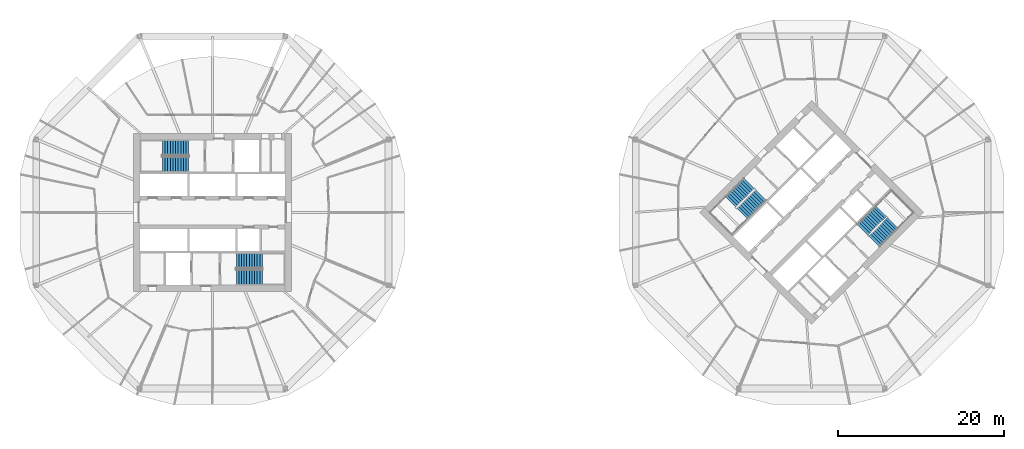
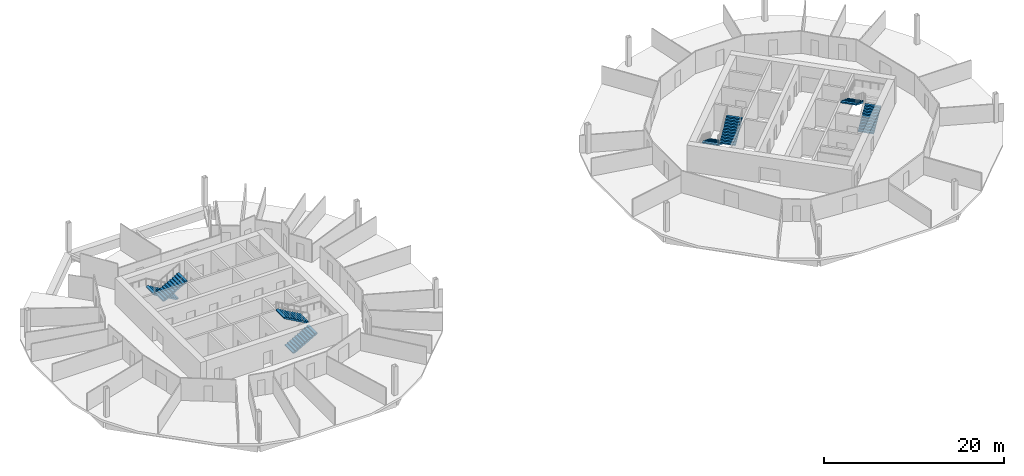
# One storey, part 9 of 10: 8 stair flights, 4 elements without a shape of their own.
"""IFC4 building model written with IfcOpenShell, lengths in metres."""

from ifc_helpers import new_model, si_unit, direction, frame, origin, place, context, subcontext, project, spatial, polyline, outline, extrude, material, type_object, element, aggregate, save


model = new_model("IFC4")

# Units and contexts
model_context = context("Model", 3, precision=1e-05, world=origin(), true_north=direction((0.0, 1.0)))
body_context = subcontext(model_context, "Body", "Model", "MODEL_VIEW")
ifc_project = project(units=[si_unit("LENGTHUNIT", "METRE"), si_unit("AREAUNIT", "SQUARE_METRE"), si_unit("VOLUMEUNIT", "CUBIC_METRE"), si_unit("PLANEANGLEUNIT", "RADIAN"), si_unit("MASSUNIT", "GRAM", prefix="KILO")], contexts=[model_context])

# Site, building, storey
site_placement = place(None, origin())
site = spatial("IfcSite", under=ifc_project, at=site_placement, CompositionType="ELEMENT")
building_placement = place(site_placement, origin())
building = spatial("IfcBuilding", under=site, at=building_placement, Name="Ogive Gate Towers", CompositionType="ELEMENT")
storey_placement = place(building_placement, frame((0.0, 0.0, 59.699951171875)))
storey = spatial("IfcBuildingStorey", under=building, at=storey_placement, Name="L13", CompositionType="ELEMENT", Elevation=59.699951171875)

# Stair, stair flights
ifc_material = material(Name="Concrete C40/50", Category="concrete")
stair_type = type_object("IfcStairType", Name="Escape stair 1840 wide", PredefinedType="HALF_TURN_STAIR", material=ifc_material)
stair_1_placement = place(storey_placement, origin())
stair_1 = element("IfcStair", 1, at=stair_1_placement, inside=storey, type_object=stair_type, Name="L13 Escape stair 1", PredefinedType="HALF_TURN_STAIR")
stair_flight_type = type_object("IfcStairFlightType", Name="Stair flight 1840 wide", PredefinedType="STRAIGHT", material=ifc_material)
stair_flight_1_placement = place(storey_placement, frame((-38.864990234375, 7.780029296875, 0.0), z_axis=(0.0, 0.0, 1.0), x_axis=(-1.0, 0.0, 0.0)))
stair_flight_1 = element("IfcStairFlight", 2, at=stair_flight_1_placement, type_object=stair_flight_type, Name="ST1 flight 1", NumberOfRisers=11, NumberOfTreads=10, PredefinedType="STRAIGHT", RiserHeight=0.177272727, TreadLength=0.313636364, context=body_context, shape_type="SweptSolid", body=[
    extrude(outline(polyline([(0.0, 0.0), (0.0, 0.17724609375), (0.313720703125, 0.17724609375), (0.313720703125, 0.3544921875), (0.627197265625, 0.3544921875), (0.627197265625, 0.53173828125), (0.94091796875, 0.53173828125), (0.94091796875, 0.708984375), (1.254638671875, 0.708984375), (1.254638671875, 0.886474609375), (1.568115234375, 0.886474609375), (1.568115234375, 1.063720703125), (1.8818359375, 1.063720703125), (1.8818359375, 1.240966796875), (2.195556640625, 1.240966796875), (2.195556640625, 1.418212890625), (2.509033203125, 1.418212890625), (2.509033203125, 1.595458984375), (2.82275390625, 1.595458984375), (2.82275390625, 1.772705078125), (3.136474609375, 1.772705078125), (3.136474609375, 1.949951171875), (3.136474609375, 1.6005859375), (0.3046875, 0.0), (0.0, 0.0)])), frame((0.0, 0.919921875, 0.0), z_axis=(0.0, -1.0, 0.0), x_axis=(1.0, 0.0, 0.0)), (0.0, 0.0, 1.0), 1.840087890625),
])
stair_flight_2_placement = place(storey_placement, frame((-42.00146484375, 5.794921875, 1.949951171875), z_axis=(0.0, 0.0, 1.0), x_axis=(1.0, 0.0, 0.0)))
stair_flight_2 = element("IfcStairFlight", 3, at=stair_flight_2_placement, type_object=stair_flight_type, Name="ST1 flight 2", NumberOfRisers=11, NumberOfTreads=10, PredefinedType="STRAIGHT", RiserHeight=0.177272727, TreadLength=0.313636364, context=body_context, shape_type="SweptSolid", body=[
    extrude(outline(polyline([(0.0, 0.0), (0.0, 0.17724609375), (0.313720703125, 0.17724609375), (0.313720703125, 0.3544921875), (0.627197265625, 0.3544921875), (0.627197265625, 0.53173828125), (0.94091796875, 0.53173828125), (0.94091796875, 0.708984375), (1.254638671875, 0.708984375), (1.254638671875, 0.886474609375), (1.568115234375, 0.886474609375), (1.568115234375, 1.063720703125), (1.8818359375, 1.063720703125), (1.8818359375, 1.240966796875), (2.195556640625, 1.240966796875), (2.195556640625, 1.418212890625), (2.509033203125, 1.418212890625), (2.509033203125, 1.595458984375), (2.82275390625, 1.595458984375), (2.82275390625, 1.772705078125), (3.136474609375, 1.772705078125), (3.136474609375, 1.949951171875), (3.136474609375, 1.6005859375), (0.3046875, 0.0), (0.0, 0.0)])), frame((0.0, 0.919921875, 0.0), z_axis=(0.0, -1.0, 0.0), x_axis=(1.0, 0.0, 0.0)), (0.0, 0.0, 1.0), 1.840087890625),
])
aggregate(stair_1, [stair_flight_1, stair_flight_2])

stair_2_placement = place(storey_placement, origin())
stair_2 = element("IfcStair", 4, at=stair_2_placement, inside=storey, type_object=stair_type, Name="L13 Escape stair 2", PredefinedType="HALF_TURN_STAIR")
stair_flight_3_placement = place(storey_placement, frame((-33.135009765625, -7.780029296875, 0.0), z_axis=(0.0, 0.0, 1.0), x_axis=(1.0, 0.0, 0.0)))
stair_flight_3 = element("IfcStairFlight", 5, at=stair_flight_3_placement, type_object=stair_flight_type, Name="ST2 flight 1", NumberOfRisers=11, NumberOfTreads=10, PredefinedType="STRAIGHT", RiserHeight=0.177272727, TreadLength=0.313636364, context=body_context, shape_type="SweptSolid", body=[
    extrude(outline(polyline([(0.0, 0.0), (0.0, 0.17724609375), (0.313720703125, 0.17724609375), (0.313720703125, 0.3544921875), (0.627197265625, 0.3544921875), (0.627197265625, 0.53173828125), (0.94091796875, 0.53173828125), (0.94091796875, 0.708984375), (1.254638671875, 0.708984375), (1.254638671875, 0.886474609375), (1.568115234375, 0.886474609375), (1.568115234375, 1.063720703125), (1.8818359375, 1.063720703125), (1.8818359375, 1.240966796875), (2.195556640625, 1.240966796875), (2.195556640625, 1.418212890625), (2.509033203125, 1.418212890625), (2.509033203125, 1.595458984375), (2.82275390625, 1.595458984375), (2.82275390625, 1.772705078125), (3.136474609375, 1.772705078125), (3.136474609375, 1.949951171875), (3.136474609375, 1.6005859375), (0.3046875, 0.0), (0.0, 0.0)])), frame((0.0, 0.919921875, 0.0), z_axis=(0.0, -1.0, 0.0), x_axis=(1.0, 0.0, 0.0)), (0.0, 0.0, 1.0), 1.840087890625),
])
stair_flight_4_placement = place(storey_placement, frame((-29.99853515625, -5.794921875, 1.949951171875), z_axis=(0.0, 0.0, 1.0), x_axis=(-1.0, 0.0, 0.0)))
stair_flight_4 = element("IfcStairFlight", 6, at=stair_flight_4_placement, type_object=stair_flight_type, Name="ST2 flight 2", NumberOfRisers=11, NumberOfTreads=10, PredefinedType="STRAIGHT", RiserHeight=0.177272727, TreadLength=0.313636364, context=body_context, shape_type="SweptSolid", body=[
    extrude(outline(polyline([(0.0, 0.0), (0.0, 0.17724609375), (0.313720703125, 0.17724609375), (0.313720703125, 0.3544921875), (0.627197265625, 0.3544921875), (0.627197265625, 0.53173828125), (0.94091796875, 0.53173828125), (0.94091796875, 0.708984375), (1.254638671875, 0.708984375), (1.254638671875, 0.886474609375), (1.568115234375, 0.886474609375), (1.568115234375, 1.063720703125), (1.8818359375, 1.063720703125), (1.8818359375, 1.240966796875), (2.195556640625, 1.240966796875), (2.195556640625, 1.418212890625), (2.509033203125, 1.418212890625), (2.509033203125, 1.595458984375), (2.82275390625, 1.595458984375), (2.82275390625, 1.772705078125), (3.136474609375, 1.772705078125), (3.136474609375, 1.949951171875), (3.136474609375, 1.6005859375), (0.3046875, 0.0), (0.0, 0.0)])), frame((0.0, 0.919921875, 0.0), z_axis=(0.0, -1.0, 0.0), x_axis=(1.0, 0.0, 0.0)), (0.0, 0.0, 1.0), 1.840087890625),
])
aggregate(stair_2, [stair_flight_3, stair_flight_4])

stair_3_placement = place(storey_placement, origin())
stair_3 = element("IfcStair", 7, at=stair_3_placement, inside=storey, type_object=stair_type, Name="L13 Escape stair 1", PredefinedType="HALF_TURN_STAIR")
stair_flight_5_placement = place(storey_placement, frame((28.472900390625, 3.475341796875, 0.0), z_axis=(0.0, 0.0, 1.0), x_axis=(-0.707106781187, -0.707106781187, 0.0)))
stair_flight_5 = element("IfcStairFlight", 8, at=stair_flight_5_placement, type_object=stair_flight_type, Name="ST1 flight 1", NumberOfRisers=11, NumberOfTreads=10, PredefinedType="STRAIGHT", RiserHeight=0.177272727, TreadLength=0.313636364, context=body_context, shape_type="SweptSolid", body=[
    extrude(outline(polyline([(0.0, 0.0), (0.0, 0.17724609375), (0.313720703125, 0.17724609375), (0.313720703125, 0.3544921875), (0.627197265625, 0.3544921875), (0.627197265625, 0.53173828125), (0.94091796875, 0.53173828125), (0.94091796875, 0.708984375), (1.254638671875, 0.708984375), (1.254638671875, 0.886474609375), (1.568115234375, 0.886474609375), (1.568115234375, 1.063720703125), (1.8818359375, 1.063720703125), (1.8818359375, 1.240966796875), (2.195556640625, 1.240966796875), (2.195556640625, 1.418212890625), (2.509033203125, 1.418212890625), (2.509033203125, 1.595458984375), (2.82275390625, 1.595458984375), (2.82275390625, 1.772705078125), (3.136474609375, 1.772705078125), (3.136474609375, 1.949951171875), (3.136474609375, 1.6005859375), (0.3046875, 0.0), (0.0, 0.0)])), frame((0.0, 0.919921875, 0.0), z_axis=(0.0, -1.0, 0.0), x_axis=(1.0, 0.0, 0.0)), (0.0, 0.0, 1.0), 1.840087890625),
])
stair_flight_6_placement = place(storey_placement, frame((27.65869140625, -0.14599609375, 1.949951171875), z_axis=(0.0, 0.0, 1.0), x_axis=(0.707106781187, 0.707106781187, 0.0)))
stair_flight_6 = element("IfcStairFlight", 9, at=stair_flight_6_placement, type_object=stair_flight_type, Name="ST1 flight 2", NumberOfRisers=11, NumberOfTreads=10, PredefinedType="STRAIGHT", RiserHeight=0.177272727, TreadLength=0.313636364, context=body_context, shape_type="SweptSolid", body=[
    extrude(outline(polyline([(0.0, 0.0), (0.0, 0.17724609375), (0.313720703125, 0.17724609375), (0.313720703125, 0.3544921875), (0.627197265625, 0.3544921875), (0.627197265625, 0.53173828125), (0.94091796875, 0.53173828125), (0.94091796875, 0.708984375), (1.254638671875, 0.708984375), (1.254638671875, 0.886474609375), (1.568115234375, 0.886474609375), (1.568115234375, 1.063720703125), (1.8818359375, 1.063720703125), (1.8818359375, 1.240966796875), (2.195556640625, 1.240966796875), (2.195556640625, 1.418212890625), (2.509033203125, 1.418212890625), (2.509033203125, 1.595458984375), (2.82275390625, 1.595458984375), (2.82275390625, 1.772705078125), (3.136474609375, 1.772705078125), (3.136474609375, 1.949951171875), (3.136474609375, 1.6005859375), (0.3046875, 0.0), (0.0, 0.0)])), frame((0.0, 0.919921875, 0.0), z_axis=(0.0, -1.0, 0.0), x_axis=(1.0, 0.0, 0.0)), (0.0, 0.0, 1.0), 1.840087890625),
])
aggregate(stair_3, [stair_flight_5, stair_flight_6])

stair_4_placement = place(storey_placement, origin())
stair_4 = element("IfcStair", 10, at=stair_4_placement, inside=storey, type_object=stair_type, Name="L13 Escape stair 2", PredefinedType="HALF_TURN_STAIR")
stair_flight_7_placement = place(storey_placement, frame((43.527099609375, -3.475341796875, 0.0), z_axis=(0.0, 0.0, 1.0), x_axis=(0.707106781187, 0.707106781187, 0.0)))
stair_flight_7 = element("IfcStairFlight", 11, at=stair_flight_7_placement, type_object=stair_flight_type, Name="ST2 flight 1", NumberOfRisers=11, NumberOfTreads=10, PredefinedType="STRAIGHT", RiserHeight=0.177272727, TreadLength=0.313636364, context=body_context, shape_type="SweptSolid", body=[
    extrude(outline(polyline([(0.0, 0.0), (0.0, 0.17724609375), (0.313720703125, 0.17724609375), (0.313720703125, 0.3544921875), (0.627197265625, 0.3544921875), (0.627197265625, 0.53173828125), (0.94091796875, 0.53173828125), (0.94091796875, 0.708984375), (1.254638671875, 0.708984375), (1.254638671875, 0.886474609375), (1.568115234375, 0.886474609375), (1.568115234375, 1.063720703125), (1.8818359375, 1.063720703125), (1.8818359375, 1.240966796875), (2.195556640625, 1.240966796875), (2.195556640625, 1.418212890625), (2.509033203125, 1.418212890625), (2.509033203125, 1.595458984375), (2.82275390625, 1.595458984375), (2.82275390625, 1.772705078125), (3.136474609375, 1.772705078125), (3.136474609375, 1.949951171875), (3.136474609375, 1.6005859375), (0.3046875, 0.0), (0.0, 0.0)])), frame((0.0, 0.919921875, 0.0), z_axis=(0.0, -1.0, 0.0), x_axis=(1.0, 0.0, 0.0)), (0.0, 0.0, 1.0), 1.840087890625),
])
stair_flight_8_placement = place(storey_placement, frame((44.34130859375, 0.14599609375, 1.949951171875), z_axis=(0.0, 0.0, 1.0), x_axis=(-0.707106781187, -0.707106781187, 0.0)))
stair_flight_8 = element("IfcStairFlight", 12, at=stair_flight_8_placement, type_object=stair_flight_type, Name="ST2 flight 2", NumberOfRisers=11, NumberOfTreads=10, PredefinedType="STRAIGHT", RiserHeight=0.177272727, TreadLength=0.313636364, context=body_context, shape_type="SweptSolid", body=[
    extrude(outline(polyline([(0.0, 0.0), (0.0, 0.17724609375), (0.313720703125, 0.17724609375), (0.313720703125, 0.3544921875), (0.627197265625, 0.3544921875), (0.627197265625, 0.53173828125), (0.94091796875, 0.53173828125), (0.94091796875, 0.708984375), (1.254638671875, 0.708984375), (1.254638671875, 0.886474609375), (1.568115234375, 0.886474609375), (1.568115234375, 1.063720703125), (1.8818359375, 1.063720703125), (1.8818359375, 1.240966796875), (2.195556640625, 1.240966796875), (2.195556640625, 1.418212890625), (2.509033203125, 1.418212890625), (2.509033203125, 1.595458984375), (2.82275390625, 1.595458984375), (2.82275390625, 1.772705078125), (3.136474609375, 1.772705078125), (3.136474609375, 1.949951171875), (3.136474609375, 1.6005859375), (0.3046875, 0.0), (0.0, 0.0)])), frame((0.0, 0.919921875, 0.0), z_axis=(0.0, -1.0, 0.0), x_axis=(1.0, 0.0, 0.0)), (0.0, 0.0, 1.0), 1.840087890625),
])
aggregate(stair_4, [stair_flight_7, stair_flight_8])

save(model, "model.ifc")
